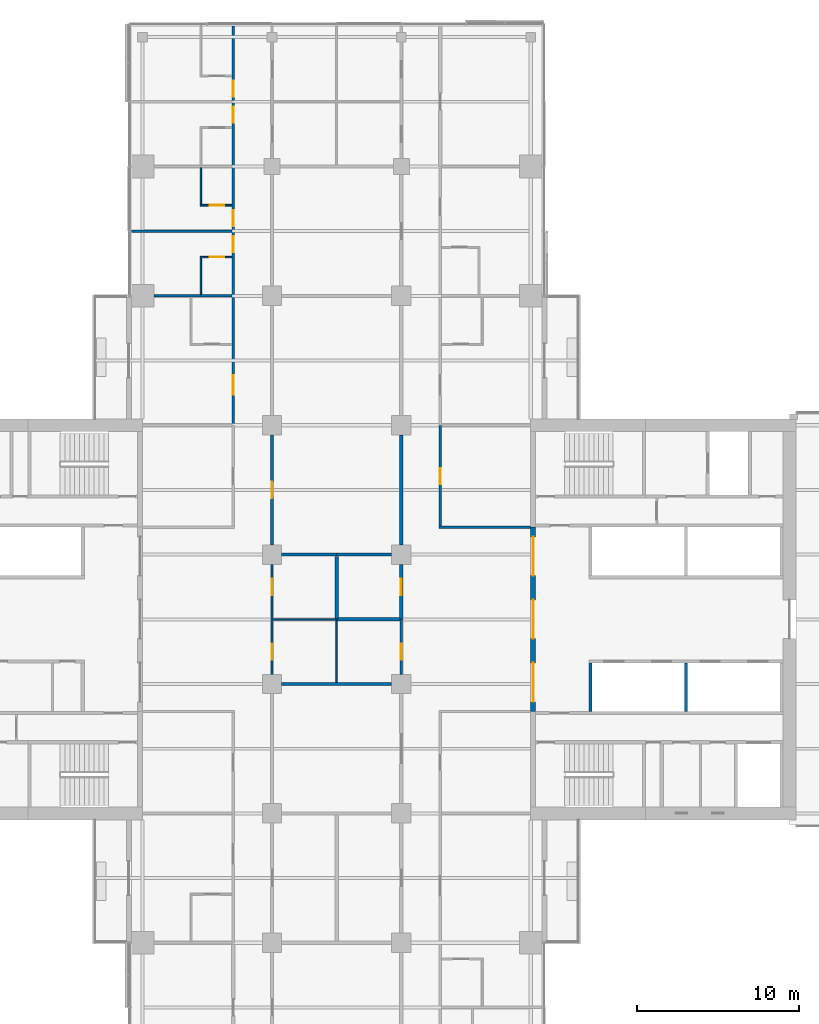
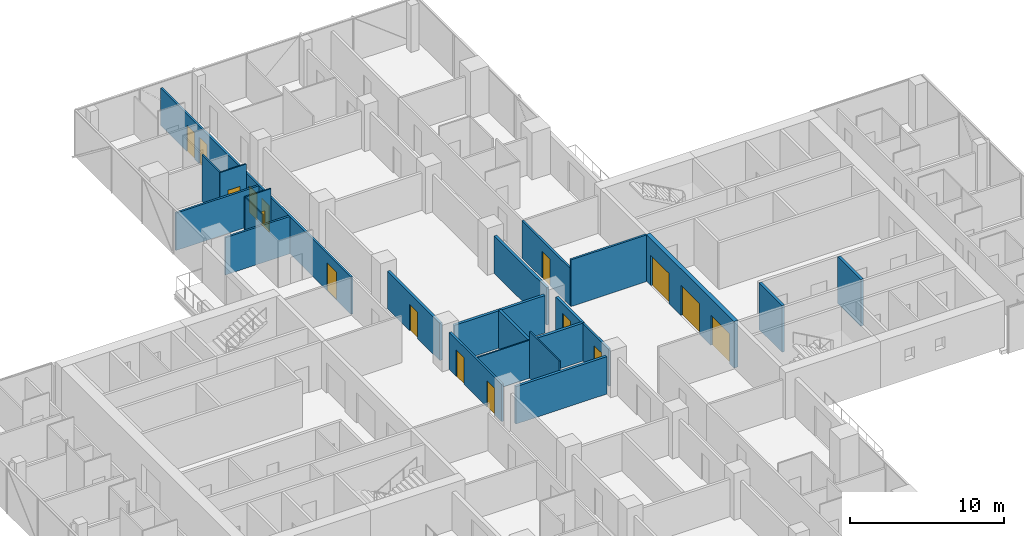
# One storey, part 19 of 27: 24 walls, 16 doors, 16 openings.
"""IFC4 building model written with IfcOpenShell, lengths in metres."""

from ifc_helpers import new_model, si_unit, direction, frame, frame_2d, origin, place, context, subcontext, project, spatial, rectangle, extrude, material, layer, layer_set, type_object, element, fill, save


model = new_model("IFC4")

# Units and contexts
model_context = context("Model", 3, precision=1e-05, world=origin(), true_north=direction((0.0, 1.0)))
body_context = subcontext(model_context, "Body", "Model", "MODEL_VIEW")
ifc_project = project(units=[si_unit("LENGTHUNIT", "METRE"), si_unit("AREAUNIT", "SQUARE_METRE"), si_unit("VOLUMEUNIT", "CUBIC_METRE"), si_unit("PLANEANGLEUNIT", "RADIAN"), si_unit("MASSUNIT", "GRAM", prefix="KILO")], contexts=[model_context])

# Site, building, storey
site_placement = place(None, origin())
site = spatial("IfcSite", under=ifc_project, at=site_placement, CompositionType="ELEMENT")
building_placement = place(site_placement, origin())
building = spatial("IfcBuilding", under=site, at=building_placement, Name="Crosswind Convention Tower", CompositionType="ELEMENT")
storey_placement = place(building_placement, frame((0.0, 0.0, 94.199951171875)))
storey = spatial("IfcBuildingStorey", under=building, at=storey_placement, Name="L18", CompositionType="ELEMENT", Elevation=94.199951171875)

# Walls
ifc_material_1 = material(Name="Concrete blockwork", Category="masonry")
ifc_layer_1 = layer(ifc_material_1, 0.199951171875)
ifc_layer_set_1 = layer_set([ifc_layer_1], Name="COMPARTMENT WALL 200")
wall_type_1 = type_object("IfcWallType", Name="COMPARTMENT WALL 200", PredefinedType="SOLIDWALL", material=ifc_layer_set_1)
wall_1_placement = place(storey_placement, frame((125.0, 100.0, 0.0), z_axis=(0.0, 0.0, 1.0), x_axis=(1.0, 0.0, 0.0)))
element("IfcWall", 1, at=wall_1_placement, inside=storey, type_object=wall_type_1, Name="Compartment Wall 30", PredefinedType="SOLIDWALL", context=body_context, shape_type="SweptSolid", body=[
    extrude(rectangle(XDim=3.925048828125, YDim=0.199951171875, at=frame_2d((1.96240234375, 0.0))), origin(), (0.0, 0.0, 1.0), 3.013671875),
])
wall_2_placement = place(storey_placement, frame((125.0, 104.0, 0.0), z_axis=(0.0, 0.0, 1.0), x_axis=(1.0, 0.0, 0.0)))
element("IfcWall", 2, at=wall_2_placement, inside=storey, type_object=wall_type_1, Name="Compartment Wall 37", PredefinedType="SOLIDWALL", context=body_context, shape_type="SweptSolid", body=[
    extrude(rectangle(XDim=3.39990234375, YDim=0.199951171875, at=frame_2d((1.699951171875, 0.0))), origin(), (0.0, 0.0, 1.0), 2.9599609375),
])
wall_3_placement = place(storey_placement, frame((125.0, 100.050048828125, 0.0), z_axis=(0.0, 0.0, 1.0), x_axis=(0.0, 1.0, 0.0)))
element("IfcWall", 3, at=wall_3_placement, inside=storey, type_object=wall_type_1, Name="Compartment Wall 98", PredefinedType="SOLIDWALL", context=body_context, shape_type="SweptSolid", body=[
    extrude(rectangle(XDim=3.849853515625, YDim=0.199951171875, at=frame_2d((1.9248046875, 0.0))), origin(), (0.0, 0.0, 1.0), 3.013671875),
])

# Wall, opening, door
wall_4_placement = place(storey_placement, frame((129.0, 100.0, 0.0), z_axis=(0.0, 0.0, 1.0), x_axis=(0.0, 1.0, 0.0)))
wall_4 = element("IfcWall", 4, at=wall_4_placement, inside=storey, type_object=wall_type_1, Name="Compartment Wall 108", PredefinedType="SOLIDWALL", context=body_context, shape_type="SweptSolid", body=[
    extrude(rectangle(XDim=3.39990234375, YDim=0.199951171875, at=frame_2d((1.699951171875, 0.0))), origin(), (0.0, 0.0, 1.0), 2.9599609375),
])
opening_1_placement = place(wall_4_placement, frame((1.5, 0.0, 0.0)))
opening_1 = element("IfcOpeningElement", 5, at=opening_1_placement, cuts=wall_4, Name="Opening 18.061", PredefinedType="OPENING", context=body_context, shape_type="SweptSolid", body=[
    extrude(rectangle(XDim=1.0, YDim=2.199951171875, at=frame_2d((0.5, 1.10009765625))), frame((0.0, 0.10986328125, 0.0), z_axis=(0.0, -1.0, 0.0), x_axis=(1.0, 0.0, 0.0)), (0.0, 0.0, 1.0), 0.219970703125),
])
ifc_material_2 = material(Name="Steel fire door", Category="steel")
door_type_1 = type_object("IfcDoorType", Name="PLANT ROOM DOOR 1000X2200", OperationType="NOTDEFINED", PredefinedType="DOOR", material=ifc_material_2)
door_1_placement = place(opening_1_placement, origin())
door_1 = element("IfcDoor", 6, at=door_1_placement, inside=storey, type_object=door_type_1, Name="Door 18.061", ObjectType="D6", OperationType="SINGLE_SWING_RIGHT", OverallHeight=2.199951171875, OverallWidth=1.0, PredefinedType="DOOR", context=body_context, shape_type="SweptSolid", body=[
    extrude(rectangle(XDim=1.0, YDim=2.199951171875, at=frame_2d((0.5, 1.10009765625))), frame((0.0, 0.02490234375, 0.0), z_axis=(0.0, -1.0, 0.0), x_axis=(1.0, 0.0, 0.0)), (0.0, 0.0, 1.0), 0.050048828125),
])
fill(opening_1, door_1)

# Wall
ifc_material_3 = material(Name="Plasterboard partition", Category="gypsum")
ifc_layer_2 = layer(ifc_material_3, 0.14990234375)
ifc_layer_set_2 = layer_set([ifc_layer_2], Name="CORRIDOR WALL 150")
wall_type_2 = type_object("IfcWallType", Name="CORRIDOR WALL 150", PredefinedType="PARTITIONING", material=ifc_layer_set_2)
wall_5_placement = place(storey_placement, frame((131.324951171875, 105.699951171875, 0.0), z_axis=(0.0, 0.0, 1.0), x_axis=(1.0, 0.0, 0.0)))
element("IfcWall", 7, at=wall_5_placement, inside=storey, type_object=wall_type_2, Name="Corridor Wall 42", PredefinedType="PARTITIONING", context=body_context, shape_type="SweptSolid", body=[
    extrude(rectangle(XDim=5.675048828125, YDim=0.14990234375, at=frame_2d((2.83740234375, 0.0))), origin(), (0.0, 0.0, 1.0), 3.699951171875),
])

# Wall, openings, doors
wall_6_placement = place(storey_placement, frame((121.0, 96.60009765625, 0.0), z_axis=(0.0, 0.0, 1.0), x_axis=(0.0, 1.0, 0.0)))
wall_6 = element("IfcWall", 8, at=wall_6_placement, inside=storey, type_object=wall_type_2, Name="Corridor Wall 88", PredefinedType="PARTITIONING", context=body_context, shape_type="SweptSolid", body=[
    extrude(rectangle(XDim=6.7998046875, YDim=0.14990234375, at=frame_2d((3.39990234375, 0.0))), origin(), (0.0, 0.0, 1.0), 2.9599609375),
])
opening_2_placement = place(wall_6_placement, frame((0.89990234375, 0.0, 0.0)))
opening_2 = element("IfcOpeningElement", 9, at=opening_2_placement, cuts=wall_6, Name="Opening 18.058", PredefinedType="OPENING", context=body_context, shape_type="SweptSolid", body=[
    extrude(rectangle(XDim=1.0, YDim=2.10009765625, at=frame_2d((0.5, 1.050048828125))), frame((0.0, 0.0849609375, 0.0), z_axis=(0.0, -1.0, 0.0), x_axis=(1.0, 0.0, 0.0)), (0.0, 0.0, 1.0), 0.169921875),
])
opening_3_placement = place(wall_6_placement, frame((4.89990234375, 0.0, 0.0)))
opening_3 = element("IfcOpeningElement", 10, at=opening_3_placement, cuts=wall_6, Name="Opening 18.059", PredefinedType="OPENING", context=body_context, shape_type="SweptSolid", body=[
    extrude(rectangle(XDim=1.0, YDim=2.10009765625, at=frame_2d((0.5, 1.050048828125))), frame((0.0, 0.0849609375, 0.0), z_axis=(0.0, -1.0, 0.0), x_axis=(1.0, 0.0, 0.0)), (0.0, 0.0, 1.0), 0.169921875),
])
ifc_material_4 = material(Name="Timber fire door", Category="wood")
door_type_2 = type_object("IfcDoorType", Name="SERVICE ROOM DOOR 1000X2100", OperationType="NOTDEFINED", PredefinedType="DOOR", material=ifc_material_4)
door_2_placement = place(opening_2_placement, frame((1.0, 0.0, 0.0), z_axis=(0.0, 0.0, 1.0), x_axis=(-1.0, 0.0, 0.0)))
door_2 = element("IfcDoor", 11, at=door_2_placement, inside=storey, type_object=door_type_2, Name="Door 18.058", ObjectType="D3", OperationType="SINGLE_SWING_RIGHT", OverallHeight=2.10009765625, OverallWidth=1.0, PredefinedType="DOOR", context=body_context, shape_type="SweptSolid", body=[
    extrude(rectangle(XDim=1.0, YDim=2.10009765625, at=frame_2d((0.5, 1.050048828125))), frame((0.0, 0.02490234375, 0.0), z_axis=(0.0, -1.0, 0.0), x_axis=(1.0, 0.0, 0.0)), (0.0, 0.0, 1.0), 0.050048828125),
])
fill(opening_2, door_2)
door_3_placement = place(opening_3_placement, frame((1.0, 0.0, 0.0), z_axis=(0.0, 0.0, 1.0), x_axis=(-1.0, 0.0, 0.0)))
door_3 = element("IfcDoor", 12, at=door_3_placement, inside=storey, type_object=door_type_2, Name="Door 18.059", ObjectType="D3", OperationType="SINGLE_SWING_LEFT", OverallHeight=2.10009765625, OverallWidth=1.0, PredefinedType="DOOR", context=body_context, shape_type="SweptSolid", body=[
    extrude(rectangle(XDim=1.0, YDim=2.10009765625, at=frame_2d((0.5, 1.050048828125))), frame((0.0, 0.02490234375, 0.0), z_axis=(0.0, -1.0, 0.0), x_axis=(1.0, 0.0, 0.0)), (0.0, 0.0, 1.0), 0.050048828125),
])
fill(opening_3, door_3)

# Wall, opening, door
wall_7_placement = place(storey_placement, frame((129.0, 96.60009765625, 0.0), z_axis=(0.0, 0.0, 1.0), x_axis=(0.0, 1.0, 0.0)))
wall_7 = element("IfcWall", 13, at=wall_7_placement, inside=storey, type_object=wall_type_2, Name="Corridor Wall 107", PredefinedType="PARTITIONING", context=body_context, shape_type="SweptSolid", body=[
    extrude(rectangle(XDim=3.39990234375, YDim=0.14990234375, at=frame_2d((1.699951171875, 0.0))), origin(), (0.0, 0.0, 1.0), 2.9599609375),
])
opening_4_placement = place(wall_7_placement, frame((0.89990234375, 0.0, 0.0)))
opening_4 = element("IfcOpeningElement", 14, at=opening_4_placement, cuts=wall_7, Name="Opening 18.060", PredefinedType="OPENING", context=body_context, shape_type="SweptSolid", body=[
    extrude(rectangle(XDim=1.0, YDim=2.10009765625, at=frame_2d((0.5, 1.050048828125))), frame((0.0, 0.0849609375, 0.0), z_axis=(0.0, -1.0, 0.0), x_axis=(1.0, 0.0, 0.0)), (0.0, 0.0, 1.0), 0.169921875),
])
door_4_placement = place(opening_4_placement, origin())
door_4 = element("IfcDoor", 15, at=door_4_placement, inside=storey, type_object=door_type_2, Name="Door 18.060", ObjectType="D3", OperationType="SINGLE_SWING_LEFT", OverallHeight=2.10009765625, OverallWidth=1.0, PredefinedType="DOOR", context=body_context, shape_type="SweptSolid", body=[
    extrude(rectangle(XDim=1.0, YDim=2.10009765625, at=frame_2d((0.5, 1.050048828125))), frame((0.0, 0.02490234375, 0.0), z_axis=(0.0, -1.0, 0.0), x_axis=(1.0, 0.0, 0.0)), (0.0, 0.0, 1.0), 0.050048828125),
])
fill(opening_4, door_4)

wall_8_placement = place(storey_placement, frame((131.39990234375, 105.77490234375, 0.0), z_axis=(0.0, 0.0, 1.0), x_axis=(0.0, 1.0, 0.0)))
wall_8 = element("IfcWall", 16, at=wall_8_placement, inside=storey, type_object=wall_type_2, Name="Corridor Wall 116", PredefinedType="PARTITIONING", context=body_context, shape_type="SweptSolid", body=[
    extrude(rectangle(XDim=6.22509765625, YDim=0.14990234375, at=frame_2d((3.112548828125, 0.0))), origin(), (0.0, 0.0, 1.0), 2.95654296875),
])
opening_5_placement = place(wall_8_placement, frame((2.574951171875, 0.0, 0.0)))
opening_5 = element("IfcOpeningElement", 17, at=opening_5_placement, cuts=wall_8, Name="Opening 18.001", PredefinedType="OPENING", context=body_context, shape_type="SweptSolid", body=[
    extrude(rectangle(XDim=1.0, YDim=2.10009765625, at=frame_2d((0.5, 1.050048828125))), frame((0.0, 0.0849609375, 0.0), z_axis=(0.0, -1.0, 0.0), x_axis=(1.0, 0.0, 0.0)), (0.0, 0.0, 1.0), 0.169921875),
])
door_5_placement = place(opening_5_placement, frame((1.0, 0.0, 0.0), z_axis=(0.0, 0.0, 1.0), x_axis=(-1.0, 0.0, 0.0)))
door_5 = element("IfcDoor", 18, at=door_5_placement, inside=storey, type_object=door_type_2, Name="Door 18.001", ObjectType="D3", OperationType="SINGLE_SWING_LEFT", OverallHeight=2.10009765625, OverallWidth=1.0, PredefinedType="DOOR", context=body_context, shape_type="SweptSolid", body=[
    extrude(rectangle(XDim=1.0, YDim=2.10009765625, at=frame_2d((0.5, 1.050048828125))), frame((0.0, 0.02490234375, 0.0), z_axis=(0.0, -1.0, 0.0), x_axis=(1.0, 0.0, 0.0)), (0.0, 0.0, 1.0), 0.050048828125),
])
fill(opening_5, door_5)

# Wall, openings, doors
ifc_material_5 = material(Name="Concrete C50/60", Category="concrete")
ifc_layer_3 = layer(ifc_material_5, 0.300048828125)
ifc_layer_set_3 = layer_set([ifc_layer_3], Name="Concrete C50/60")
wall_type_3 = type_object("IfcWallType", Name="Concrete inner core wall 300", PredefinedType="SHEAR", material=ifc_layer_set_3)
wall_9_placement = place(storey_placement, frame((137.14990234375, 94.300048828125, 0.0), z_axis=(0.0, 0.0, 1.0), x_axis=(0.0, 1.0, 0.0)))
wall_9 = element("IfcWall", 19, at=wall_9_placement, inside=storey, type_object=wall_type_3, Name="Wall SCR E L18", PredefinedType="SHEAR", context=body_context, shape_type="SweptSolid", body=[
    extrude(rectangle(XDim=11.39990234375, YDim=0.300048828125, at=frame_2d((5.699951171875, 0.0))), origin(), (0.0, 0.0, 1.0), 3.699951171875),
])
opening_6_placement = place(wall_9_placement, frame((0.60009765625, 0.0, 0.0)))
opening_6 = element("IfcOpeningElement", 20, at=opening_6_placement, cuts=wall_9, Name="Opening D100", PredefinedType="OPENING", context=body_context, shape_type="SweptSolid", body=[
    extrude(rectangle(XDim=2.39990234375, YDim=2.39990234375, at=frame_2d((1.199951171875, 1.199951171875))), frame((0.0, 0.159912109375, 0.0), z_axis=(0.0, -1.0, 0.0), x_axis=(1.0, 0.0, 0.0)), (0.0, 0.0, 1.0), 0.320068359375),
])
opening_7_placement = place(wall_9_placement, frame((4.5, 0.0, 0.0)))
opening_7 = element("IfcOpeningElement", 21, at=opening_7_placement, cuts=wall_9, Name="Opening D100", PredefinedType="OPENING", context=body_context, shape_type="SweptSolid", body=[
    extrude(rectangle(XDim=2.39990234375, YDim=2.39990234375, at=frame_2d((1.199951171875, 1.199951171875))), frame((0.0, 0.159912109375, 0.0), z_axis=(0.0, -1.0, 0.0), x_axis=(1.0, 0.0, 0.0)), (0.0, 0.0, 1.0), 0.320068359375),
])
opening_8_placement = place(wall_9_placement, frame((8.39990234375, 0.0, 0.0)))
opening_8 = element("IfcOpeningElement", 22, at=opening_8_placement, cuts=wall_9, Name="Opening D100", PredefinedType="OPENING", context=body_context, shape_type="SweptSolid", body=[
    extrude(rectangle(XDim=2.39990234375, YDim=2.39990234375, at=frame_2d((1.199951171875, 1.199951171875))), frame((0.0, 0.159912109375, 0.0), z_axis=(0.0, -1.0, 0.0), x_axis=(1.0, 0.0, 0.0)), (0.0, 0.0, 1.0), 0.320068359375),
])
ifc_material_6 = material(Name="Steel fire door with glazed vision panels", Category="steel")
door_type_3 = type_object("IfcDoorType", Name="Fire-rated double door 2400x2400", OperationType="DOUBLE_DOOR_SINGLE_SWING", PredefinedType="DOOR", material=ifc_material_6)
door_6_placement = place(opening_6_placement, origin())
door_6 = element("IfcDoor", 23, at=door_6_placement, inside=storey, type_object=door_type_3, Name="Lobby door 1 L18", ObjectType="D100", OperationType="DOUBLE_DOOR_SINGLE_SWING", OverallHeight=2.39990234375, OverallWidth=2.39990234375, PredefinedType="DOOR", context=body_context, shape_type="SweptSolid", body=[
    extrude(rectangle(XDim=2.39990234375, YDim=2.39990234375, at=frame_2d((1.199951171875, 1.199951171875))), frame((0.0, 0.02490234375, 0.0), z_axis=(0.0, -1.0, 0.0), x_axis=(1.0, 0.0, 0.0)), (0.0, 0.0, 1.0), 0.050048828125),
])
fill(opening_6, door_6)
door_7_placement = place(opening_7_placement, origin())
door_7 = element("IfcDoor", 24, at=door_7_placement, inside=storey, type_object=door_type_3, Name="Lobby door 2 L18", ObjectType="D100", OperationType="DOUBLE_DOOR_SINGLE_SWING", OverallHeight=2.39990234375, OverallWidth=2.39990234375, PredefinedType="DOOR", context=body_context, shape_type="SweptSolid", body=[
    extrude(rectangle(XDim=2.39990234375, YDim=2.39990234375, at=frame_2d((1.199951171875, 1.199951171875))), frame((0.0, 0.02490234375, 0.0), z_axis=(0.0, -1.0, 0.0), x_axis=(1.0, 0.0, 0.0)), (0.0, 0.0, 1.0), 0.050048828125),
])
fill(opening_7, door_7)
door_8_placement = place(opening_8_placement, origin())
door_8 = element("IfcDoor", 25, at=door_8_placement, inside=storey, type_object=door_type_3, Name="Lobby door 3 L18", ObjectType="D100", OperationType="DOUBLE_DOOR_SINGLE_SWING", OverallHeight=2.39990234375, OverallWidth=2.39990234375, PredefinedType="DOOR", context=body_context, shape_type="SweptSolid", body=[
    extrude(rectangle(XDim=2.39990234375, YDim=2.39990234375, at=frame_2d((1.199951171875, 1.199951171875))), frame((0.0, 0.02490234375, 0.0), z_axis=(0.0, -1.0, 0.0), x_axis=(1.0, 0.0, 0.0)), (0.0, 0.0, 1.0), 0.050048828125),
])
fill(opening_8, door_8)

# Walls
ifc_layer_4 = layer(ifc_material_5, 0.199951171875)
ifc_layer_set_4 = layer_set([ifc_layer_4], Name="Concrete C50/60")
wall_type_4 = type_object("IfcWallType", Name="Concrete shaft and stair wall 200", PredefinedType="SHEAR", material=ifc_layer_set_4)
for number, where, z_axis, x_axis, name in (
    (26, (140.699951171875, 94.300048828125, 0.0), (0.0, 0.0, 1.0), (0.0, 1.0, 0.0), "Wall RMEND E L18"),
    (27, (146.60009765625, 94.300048828125, 0.0), (0.0, 0.0, 1.0), (0.0, 1.0, 0.0), "Wall RMSEP E L18"),
):
    element("IfcWall", number, at=place(storey_placement, frame(where, z_axis=z_axis, x_axis=x_axis)), inside=storey, type_object=wall_type_4, Name=name, PredefinedType="SHEAR", context=body_context, shape_type="SweptSolid", body=[
        extrude(rectangle(XDim=3.0, YDim=0.199951171875, at=frame_2d((1.5, 0.0))), origin(), (0.0, 0.0, 1.0), 3.699951171875),
    ])
ifc_material_7 = material(Name="Acoustic plasterboard partition", Category="gypsum")
ifc_layer_5 = layer(ifc_material_7, 0.14990234375)
ifc_layer_set_5 = layer_set([ifc_layer_5], Name="GUEST ROOM WALL 150")
wall_type_5 = type_object("IfcWallType", Name="GUEST ROOM WALL 150", PredefinedType="PARTITIONING", material=ifc_layer_set_5)
wall_10_placement = place(storey_placement, frame((113.699951171875, 120.0, 0.0), z_axis=(0.0, 0.0, 1.0), x_axis=(1.0, 0.0, 0.0)))
element("IfcWall", 28, at=wall_10_placement, inside=storey, type_object=wall_type_5, Name="Guest Room Wall 52", PredefinedType="PARTITIONING", context=body_context, shape_type="SweptSolid", body=[
    extrude(rectangle(XDim=4.824951171875, YDim=0.14990234375, at=frame_2d((2.41259765625, 0.0))), origin(), (0.0, 0.0, 1.0), 2.9599609375),
])
wall_11_placement = place(storey_placement, frame((112.300048828125, 124.0, 0.0), z_axis=(0.0, 0.0, 1.0), x_axis=(1.0, 0.0, 0.0)))
element("IfcWall", 29, at=wall_11_placement, inside=storey, type_object=wall_type_5, Name="Guest Room Wall 57", PredefinedType="PARTITIONING", context=body_context, shape_type="SweptSolid", body=[
    extrude(rectangle(XDim=6.224853515625, YDim=0.14990234375, at=frame_2d((3.1123046875, 0.0))), origin(), (0.0, 0.0, 1.0), 2.962890625),
])

# Wall, openings, doors
wall_12_placement = place(storey_placement, frame((118.60009765625, 112.0, 0.0), z_axis=(0.0, 0.0, 1.0), x_axis=(0.0, 1.0, 0.0)))
wall_12 = element("IfcWall", 30, at=wall_12_placement, inside=storey, type_object=wall_type_5, Name="Guest Room Wall 82", PredefinedType="PARTITIONING", context=body_context, shape_type="SweptSolid", body=[
    extrude(rectangle(XDim=24.699951171875, YDim=0.14990234375, at=frame_2d((12.35009765625, 0.0))), origin(), (0.0, 0.0, 1.0), 2.95654296875),
])
opening_9_placement = place(wall_12_placement, frame((1.89990234375, 0.0, 0.0)))
opening_9 = element("IfcOpeningElement", 31, at=opening_9_placement, cuts=wall_12, Name="Opening 18.010", PredefinedType="OPENING", context=body_context, shape_type="SweptSolid", body=[
    extrude(rectangle(XDim=1.199951171875, YDim=2.199951171875, at=frame_2d((0.60009765625, 1.10009765625))), frame((0.0, 0.0849609375, 0.0), z_axis=(0.0, -1.0, 0.0), x_axis=(1.0, 0.0, 0.0)), (0.0, 0.0, 1.0), 0.169921875),
])
opening_10_placement = place(wall_12_placement, frame((10.699951171875, 0.0, 0.0)))
opening_10 = element("IfcOpeningElement", 32, at=opening_10_placement, cuts=wall_12, Name="Opening 18.012", PredefinedType="OPENING", context=body_context, shape_type="SweptSolid", body=[
    extrude(rectangle(XDim=1.0, YDim=2.10009765625, at=frame_2d((0.5, 1.050048828125))), frame((0.0, 0.0849609375, 0.0), z_axis=(0.0, -1.0, 0.0), x_axis=(1.0, 0.0, 0.0)), (0.0, 0.0, 1.0), 0.169921875),
])
opening_11_placement = place(wall_12_placement, frame((12.300048828125, 0.0, 0.0)))
opening_11 = element("IfcOpeningElement", 33, at=opening_11_placement, cuts=wall_12, Name="Opening 18.014", PredefinedType="OPENING", context=body_context, shape_type="SweptSolid", body=[
    extrude(rectangle(XDim=1.0, YDim=2.10009765625, at=frame_2d((0.5, 1.050048828125))), frame((0.0, 0.0849609375, 0.0), z_axis=(0.0, -1.0, 0.0), x_axis=(1.0, 0.0, 0.0)), (0.0, 0.0, 1.0), 0.169921875),
])
opening_12_placement = place(wall_12_placement, frame((18.699951171875, 0.0, 0.0)))
opening_12 = element("IfcOpeningElement", 34, at=opening_12_placement, cuts=wall_12, Name="Opening 18.016", PredefinedType="OPENING", context=body_context, shape_type="SweptSolid", body=[
    extrude(rectangle(XDim=1.0, YDim=2.10009765625, at=frame_2d((0.5, 1.050048828125))), frame((0.0, 0.0849609375, 0.0), z_axis=(0.0, -1.0, 0.0), x_axis=(1.0, 0.0, 0.0)), (0.0, 0.0, 1.0), 0.169921875),
])
opening_13_placement = place(wall_12_placement, frame((20.300048828125, 0.0, 0.0)))
opening_13 = element("IfcOpeningElement", 35, at=opening_13_placement, cuts=wall_12, Name="Opening 18.018", PredefinedType="OPENING", context=body_context, shape_type="SweptSolid", body=[
    extrude(rectangle(XDim=1.0, YDim=2.10009765625, at=frame_2d((0.5, 1.050048828125))), frame((0.0, 0.0849609375, 0.0), z_axis=(0.0, -1.0, 0.0), x_axis=(1.0, 0.0, 0.0)), (0.0, 0.0, 1.0), 0.169921875),
])
door_type_4 = type_object("IfcDoorType", Name="GUEST ROOM DOOR 1000X2100", OperationType="NOTDEFINED", PredefinedType="DOOR", material=ifc_material_4)
door_9_placement = place(opening_10_placement, origin())
door_9 = element("IfcDoor", 36, at=door_9_placement, inside=storey, type_object=door_type_4, Name="Door 18.012", ObjectType="D1", OperationType="SINGLE_SWING_RIGHT", OverallHeight=2.10009765625, OverallWidth=1.0, PredefinedType="DOOR", context=body_context, shape_type="SweptSolid", body=[
    extrude(rectangle(XDim=1.0, YDim=2.10009765625, at=frame_2d((0.5, 1.050048828125))), frame((0.0, 0.02490234375, 0.0), z_axis=(0.0, -1.0, 0.0), x_axis=(1.0, 0.0, 0.0)), (0.0, 0.0, 1.0), 0.050048828125),
])
fill(opening_10, door_9)
door_10_placement = place(opening_11_placement, origin())
door_10 = element("IfcDoor", 37, at=door_10_placement, inside=storey, type_object=door_type_4, Name="Door 18.014", ObjectType="D1", OperationType="SINGLE_SWING_RIGHT", OverallHeight=2.10009765625, OverallWidth=1.0, PredefinedType="DOOR", context=body_context, shape_type="SweptSolid", body=[
    extrude(rectangle(XDim=1.0, YDim=2.10009765625, at=frame_2d((0.5, 1.050048828125))), frame((0.0, 0.02490234375, 0.0), z_axis=(0.0, -1.0, 0.0), x_axis=(1.0, 0.0, 0.0)), (0.0, 0.0, 1.0), 0.050048828125),
])
fill(opening_11, door_10)
door_11_placement = place(opening_12_placement, origin())
door_11 = element("IfcDoor", 38, at=door_11_placement, inside=storey, type_object=door_type_4, Name="Door 18.016", ObjectType="D1", OperationType="SINGLE_SWING_RIGHT", OverallHeight=2.10009765625, OverallWidth=1.0, PredefinedType="DOOR", context=body_context, shape_type="SweptSolid", body=[
    extrude(rectangle(XDim=1.0, YDim=2.10009765625, at=frame_2d((0.5, 1.050048828125))), frame((0.0, 0.02490234375, 0.0), z_axis=(0.0, -1.0, 0.0), x_axis=(1.0, 0.0, 0.0)), (0.0, 0.0, 1.0), 0.050048828125),
])
fill(opening_12, door_11)
door_12_placement = place(opening_13_placement, origin())
door_12 = element("IfcDoor", 39, at=door_12_placement, inside=storey, type_object=door_type_4, Name="Door 18.018", ObjectType="D1", OperationType="SINGLE_SWING_RIGHT", OverallHeight=2.10009765625, OverallWidth=1.0, PredefinedType="DOOR", context=body_context, shape_type="SweptSolid", body=[
    extrude(rectangle(XDim=1.0, YDim=2.10009765625, at=frame_2d((0.5, 1.050048828125))), frame((0.0, 0.02490234375, 0.0), z_axis=(0.0, -1.0, 0.0), x_axis=(1.0, 0.0, 0.0)), (0.0, 0.0, 1.0), 0.050048828125),
])
fill(opening_13, door_12)
door_type_5 = type_object("IfcDoorType", Name="SUITE DOOR 1200X2200", OperationType="DOUBLE_DOOR_SINGLE_SWING", PredefinedType="DOOR", material=ifc_material_4)
door_13_placement = place(opening_9_placement, origin())
door_13 = element("IfcDoor", 40, at=door_13_placement, inside=storey, type_object=door_type_5, Name="Door 18.010", ObjectType="D14", OperationType="DOUBLE_DOOR_SINGLE_SWING", OverallHeight=2.199951171875, OverallWidth=1.199951171875, PredefinedType="DOOR", context=body_context, shape_type="SweptSolid", body=[
    extrude(rectangle(XDim=1.199951171875, YDim=2.199951171875, at=frame_2d((0.60009765625, 1.10009765625))), frame((0.0, 0.02490234375, 0.0), z_axis=(0.0, -1.0, 0.0), x_axis=(1.0, 0.0, 0.0)), (0.0, 0.0, 1.0), 0.050048828125),
])
fill(opening_9, door_13)

# Walls
ifc_material_8 = material(Name="Double plasterboard partition", Category="gypsum")
ifc_layer_6 = layer(ifc_material_8, 0.199951171875)
ifc_layer_set_6 = layer_set([ifc_layer_6], Name="HALL WALL 200")
wall_type_6 = type_object("IfcWallType", Name="HALL WALL 200", PredefinedType="PARTITIONING", material=ifc_layer_set_6)
wall_13_placement = place(storey_placement, frame((121.60009765625, 96.0, 0.0), z_axis=(0.0, 0.0, 1.0), x_axis=(1.0, 0.0, 0.0)))
element("IfcWall", 41, at=wall_13_placement, inside=storey, type_object=wall_type_6, Name="Hall Wall 23", PredefinedType="PARTITIONING", context=body_context, shape_type="SweptSolid", body=[
    extrude(rectangle(XDim=6.7998046875, YDim=0.199951171875, at=frame_2d((3.39990234375, 0.0))), origin(), (0.0, 0.0, 1.0), 2.9599609375),
])
wall_14_placement = place(storey_placement, frame((121.60009765625, 104.0, 0.0), z_axis=(0.0, 0.0, 1.0), x_axis=(1.0, 0.0, 0.0)))
element("IfcWall", 42, at=wall_14_placement, inside=storey, type_object=wall_type_6, Name="Hall Wall 36", PredefinedType="PARTITIONING", context=body_context, shape_type="SweptSolid", body=[
    extrude(rectangle(XDim=3.39990234375, YDim=0.199951171875, at=frame_2d((1.699951171875, 0.0))), origin(), (0.0, 0.0, 1.0), 2.9599609375),
])

# Wall, opening, door
wall_15_placement = place(storey_placement, frame((121.0, 104.60009765625, 0.0), z_axis=(0.0, 0.0, 1.0), x_axis=(0.0, 1.0, 0.0)))
wall_15 = element("IfcWall", 43, at=wall_15_placement, inside=storey, type_object=wall_type_6, Name="Hall Wall 89", PredefinedType="PARTITIONING", context=body_context, shape_type="SweptSolid", body=[
    extrude(rectangle(XDim=6.7998046875, YDim=0.199951171875, at=frame_2d((3.39990234375, 0.0))), origin(), (0.0, 0.0, 1.0), 2.9599609375),
])
opening_14_placement = place(wall_15_placement, frame((2.89990234375, 0.0, 0.0)))
opening_14 = element("IfcOpeningElement", 44, at=opening_14_placement, cuts=wall_15, Name="Opening 18.062", PredefinedType="OPENING", context=body_context, shape_type="SweptSolid", body=[
    extrude(rectangle(XDim=1.0, YDim=2.10009765625, at=frame_2d((0.5, 1.050048828125))), frame((0.0, 0.10986328125, 0.0), z_axis=(0.0, -1.0, 0.0), x_axis=(1.0, 0.0, 0.0)), (0.0, 0.0, 1.0), 0.219970703125),
])
door_type_6 = type_object("IfcDoorType", Name="MEETING ROOM DOOR 1000X2100", OperationType="NOTDEFINED", PredefinedType="DOOR", material=ifc_material_4)
door_14_placement = place(opening_14_placement, frame((1.0, 0.0, 0.0), z_axis=(0.0, 0.0, 1.0), x_axis=(-1.0, 0.0, 0.0)))
door_14 = element("IfcDoor", 45, at=door_14_placement, inside=storey, type_object=door_type_6, Name="Door 18.062", ObjectType="D13", OperationType="SINGLE_SWING_LEFT", OverallHeight=2.10009765625, OverallWidth=1.0, PredefinedType="DOOR", context=body_context, shape_type="SweptSolid", body=[
    extrude(rectangle(XDim=1.0, YDim=2.10009765625, at=frame_2d((0.5, 1.050048828125))), frame((0.0, 0.02490234375, 0.0), z_axis=(0.0, -1.0, 0.0), x_axis=(1.0, 0.0, 0.0)), (0.0, 0.0, 1.0), 0.050048828125),
])
fill(opening_14, door_14)

# Walls
wall_16_placement = place(storey_placement, frame((129.0, 104.60009765625, 0.0), z_axis=(0.0, 0.0, 1.0), x_axis=(0.0, 1.0, 0.0)))
element("IfcWall", 46, at=wall_16_placement, inside=storey, type_object=wall_type_6, Name="Hall Wall 109", PredefinedType="PARTITIONING", context=body_context, shape_type="SweptSolid", body=[
    extrude(rectangle(XDim=6.7998046875, YDim=0.199951171875, at=frame_2d((3.39990234375, 0.0))), origin(), (0.0, 0.0, 1.0), 2.9599609375),
])
ifc_layer_7 = layer(ifc_material_3, 0.10009765625)
ifc_layer_set_7 = layer_set([ifc_layer_7], Name="PARTITION 100")
wall_type_7 = type_object("IfcWallType", Name="PARTITION 100", PredefinedType="PARTITIONING", material=ifc_layer_set_7)
wall_17_placement = place(storey_placement, frame((121.074951171875, 100.0, 0.0), z_axis=(0.0, 0.0, 1.0), x_axis=(1.0, 0.0, 0.0)))
element("IfcWall", 47, at=wall_17_placement, inside=storey, type_object=wall_type_7, Name="Partition 29", PredefinedType="PARTITIONING", context=body_context, shape_type="SweptSolid", body=[
    extrude(rectangle(XDim=3.925048828125, YDim=0.10009765625, at=frame_2d((1.96240234375, 0.0))), origin(), (0.0, 0.0, 1.0), 3.013671875),
])
wall_18_placement = place(storey_placement, frame((125.0, 96.10009765625, 0.0), z_axis=(0.0, 0.0, 1.0), x_axis=(0.0, 1.0, 0.0)))
element("IfcWall", 48, at=wall_18_placement, inside=storey, type_object=wall_type_7, Name="Partition 97", PredefinedType="PARTITIONING", context=body_context, shape_type="SweptSolid", body=[
    extrude(rectangle(XDim=3.849853515625, YDim=0.10009765625, at=frame_2d((1.9248046875, 0.0))), origin(), (0.0, 0.0, 1.0), 3.699951171875),
])

# Wall, opening, door
ifc_material_9 = material(Name="Water-resistant plasterboard partition", Category="gypsum")
ifc_layer_8 = layer(ifc_material_9, 0.10009765625)
ifc_layer_set_8 = layer_set([ifc_layer_8], Name="WET ROOM PARTITION 100")
wall_type_8 = type_object("IfcWallType", Name="WET ROOM PARTITION 100", PredefinedType="PLUMBINGWALL", material=ifc_layer_set_8)
wall_19_placement = place(storey_placement, frame((116.550048828125, 122.39990234375, 0.0), z_axis=(0.0, 0.0, 1.0), x_axis=(1.0, 0.0, 0.0)))
wall_19 = element("IfcWall", 49, at=wall_19_placement, inside=storey, type_object=wall_type_8, Name="Wet Room Partition 55", PredefinedType="PLUMBINGWALL", context=body_context, shape_type="SweptSolid", body=[
    extrude(rectangle(XDim=1.974853515625, YDim=0.10009765625, at=frame_2d((0.9873046875, 0.0))), origin(), (0.0, 0.0, 1.0), 3.699951171875),
])
opening_15_placement = place(wall_19_placement, frame((0.60009765625, 0.0, 0.0)))
opening_15 = element("IfcOpeningElement", 50, at=opening_15_placement, cuts=wall_19, Name="Opening 18.013", PredefinedType="OPENING", context=body_context, shape_type="SweptSolid", body=[
    extrude(rectangle(XDim=0.89990234375, YDim=2.10009765625, at=frame_2d((0.449951171875, 1.050048828125))), frame((0.0, 0.06005859375, 0.0), z_axis=(0.0, -1.0, 0.0), x_axis=(1.0, 0.0, 0.0)), (0.0, 0.0, 1.0), 0.1201171875),
])
ifc_material_10 = material(Name="Timber door", Category="wood")
door_type_7 = type_object("IfcDoorType", Name="EN-SUITE DOOR 900X2100", OperationType="NOTDEFINED", PredefinedType="DOOR", material=ifc_material_10)
door_15_placement = place(opening_15_placement, frame((0.89990234375, 0.0, 0.0), z_axis=(0.0, 0.0, 1.0), x_axis=(-1.0, 0.0, 0.0)))
door_15 = element("IfcDoor", 51, at=door_15_placement, inside=storey, type_object=door_type_7, Name="Door 18.013", ObjectType="D2", OperationType="SINGLE_SWING_LEFT", OverallHeight=2.10009765625, OverallWidth=0.89990234375, PredefinedType="DOOR", context=body_context, shape_type="SweptSolid", body=[
    extrude(rectangle(XDim=0.89990234375, YDim=2.10009765625, at=frame_2d((0.449951171875, 1.050048828125))), frame((0.0, 0.02490234375, 0.0), z_axis=(0.0, -1.0, 0.0), x_axis=(1.0, 0.0, 0.0)), (0.0, 0.0, 1.0), 0.050048828125),
])
fill(opening_15, door_15)

wall_20_placement = place(storey_placement, frame((116.550048828125, 125.60009765625, 0.0), z_axis=(0.0, 0.0, 1.0), x_axis=(1.0, 0.0, 0.0)))
wall_20 = element("IfcWall", 52, at=wall_20_placement, inside=storey, type_object=wall_type_8, Name="Wet Room Partition 58", PredefinedType="PLUMBINGWALL", context=body_context, shape_type="SweptSolid", body=[
    extrude(rectangle(XDim=1.974853515625, YDim=0.10009765625, at=frame_2d((0.9873046875, 0.0))), origin(), (0.0, 0.0, 1.0), 3.699951171875),
])
opening_16_placement = place(wall_20_placement, frame((0.60009765625, 0.0, 0.0)))
opening_16 = element("IfcOpeningElement", 53, at=opening_16_placement, cuts=wall_20, Name="Opening 18.015", PredefinedType="OPENING", context=body_context, shape_type="SweptSolid", body=[
    extrude(rectangle(XDim=0.89990234375, YDim=2.10009765625, at=frame_2d((0.449951171875, 1.050048828125))), frame((0.0, 0.06005859375, 0.0), z_axis=(0.0, -1.0, 0.0), x_axis=(1.0, 0.0, 0.0)), (0.0, 0.0, 1.0), 0.1201171875),
])
door_16_placement = place(opening_16_placement, origin())
door_16 = element("IfcDoor", 54, at=door_16_placement, inside=storey, type_object=door_type_7, Name="Door 18.015", ObjectType="D2", OperationType="SINGLE_SWING_RIGHT", OverallHeight=2.10009765625, OverallWidth=0.89990234375, PredefinedType="DOOR", context=body_context, shape_type="SweptSolid", body=[
    extrude(rectangle(XDim=0.89990234375, YDim=2.10009765625, at=frame_2d((0.449951171875, 1.050048828125))), frame((0.0, 0.02490234375, 0.0), z_axis=(0.0, -1.0, 0.0), x_axis=(1.0, 0.0, 0.0)), (0.0, 0.0, 1.0), 0.050048828125),
])
fill(opening_16, door_16)

# Walls
for number, where, z_axis, x_axis, name in (
    (55, (116.60009765625, 120.074951171875, 0.0), (0.0, 0.0, 1.0), (0.0, 1.0, 0.0), "Wet Room Partition 74"),
    (56, (116.60009765625, 125.64990234375, 0.0), (0.0, 0.0, 1.0), (0.0, 1.0, 0.0), "Wet Room Partition 75"),
):
    element("IfcWall", number, at=place(storey_placement, frame(where, z_axis=z_axis, x_axis=x_axis)), inside=storey, type_object=wall_type_8, Name=name, PredefinedType="PLUMBINGWALL", context=body_context, shape_type="SweptSolid", body=[
        extrude(rectangle(XDim=2.275146484375, YDim=0.10009765625, at=frame_2d((1.1376953125, 0.0))), origin(), (0.0, 0.0, 1.0), 3.699951171875),
    ])

save(model, "model.ifc")
